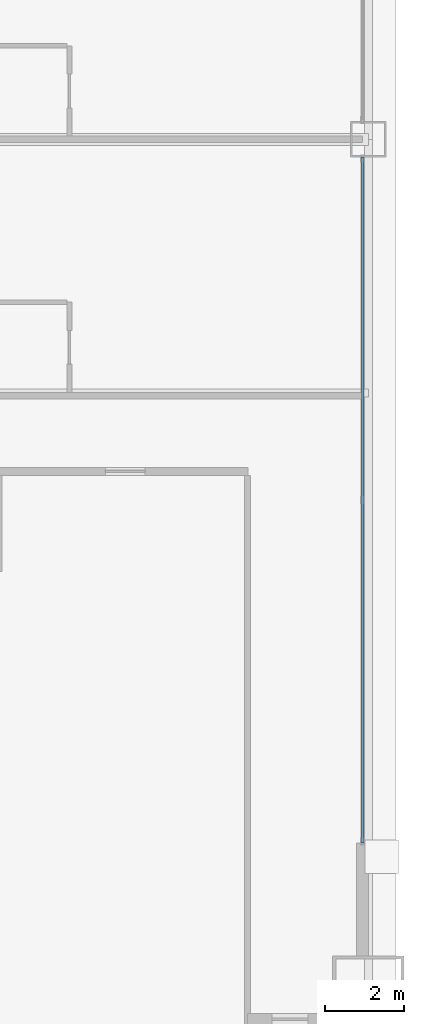
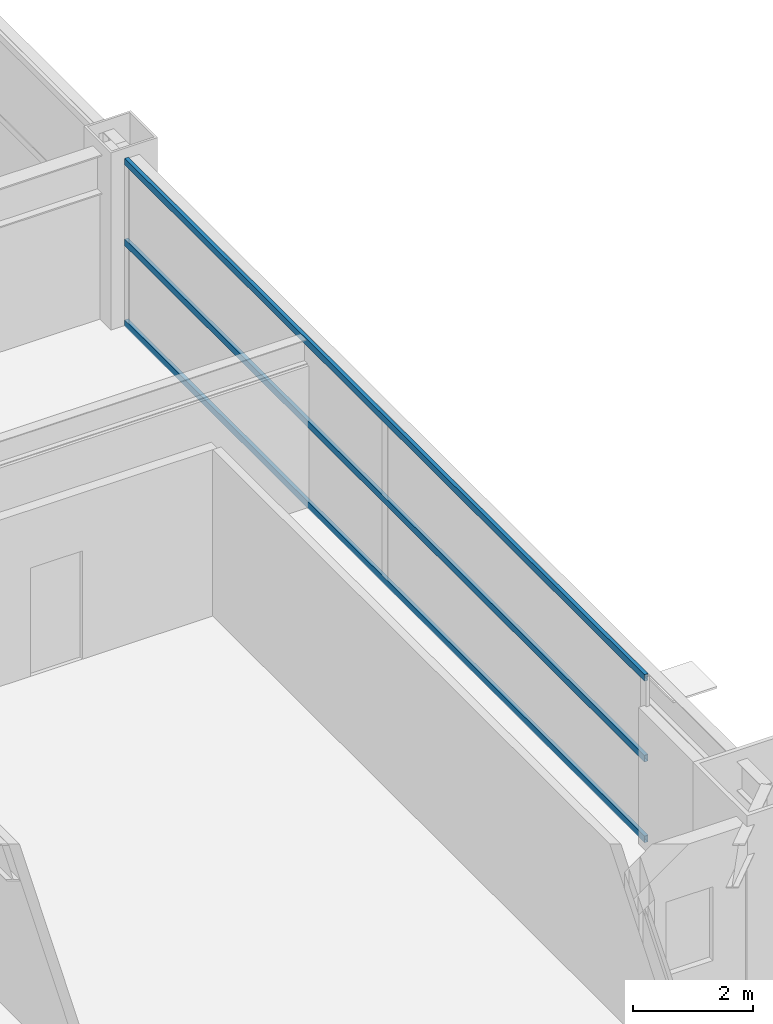
# One storey, part 20 of 43: 3 members, 1 element without a shape of its own.
"""IFC4 building model written with IfcOpenShell, lengths in metres."""

import ifcopenshell
import ifcopenshell.guid

model = None  # the IFC model being written
_history = None  # IfcOwnerHistory: only IFC2X3 demands one
_inside = {}  # id of a spatial element -> (the spatial element, [elements in it])
_under = {}  # id of a project, library or spatial element -> (it, [spatial elements below it])
_declared = {}  # id of a project -> (the project, [libraries it declares])
_typed = {}  # id of a type object -> (the type object, [elements of that type])
_made_of = {}  # id of a material, layer set ... -> (it, [elements and type objects made of it])


def new_model(schema):
    """Start an empty IFC model of exactly this schema.

    Asked for "IFC4X3", IfcOpenShell would pick the latest addendum, in which some entities
    have other attributes; the version numbers below select the first issue.
    IFC2X3 requires an IfcOwnerHistory on every rooted entity: one is made here for all.
    """
    global model, _history
    if schema == "IFC4X3":
        model = ifcopenshell.file(schema_version=(4, 3, 0, 0))
    else:
        model = ifcopenshell.file(schema=schema)
    _inside.clear()
    _under.clear()
    _declared.clear()
    _typed.clear()
    _made_of.clear()
    _history = None
    if model.schema == "IFC2X3":
        org = make("IfcOrganization", Name="unknown")
        user = make(
            "IfcPersonAndOrganization",
            ThePerson=make("IfcPerson", FamilyName="unknown"),
            TheOrganization=org,
        )
        app = make(
            "IfcApplication",
            ApplicationDeveloper=org,
            Version="unknown",
            ApplicationFullName="unknown",
            ApplicationIdentifier="unknown",
        )
        _history = make(
            "IfcOwnerHistory",
            OwningUser=user,
            OwningApplication=app,
            ChangeAction="ADDED",
            CreationDate=0,
        )
    return model


def make(cls, **values):
    """One entity of the class cls with the attributes given. An attribute that is None is left unset."""
    return model.create_entity(
        cls, **{name: value for name, value in values.items() if value is not None}
    )


def rooted(cls, **values):
    """An entity with a GlobalId (a new one), such as an element, a storey or a relation."""
    return make(cls, GlobalId=ifcopenshell.guid.new(), OwnerHistory=_history, **values)


def si_unit(unit_type, name, prefix=None):
    """IfcSIUnit, for example si_unit("LENGTHUNIT", "METRE", prefix="MILLI")."""
    return make("IfcSIUnit", UnitType=unit_type, Prefix=prefix, Name=name)


def assignment(units):
    """IfcUnitAssignment: the units of a project."""
    return None if units is None else make("IfcUnitAssignment", Units=units)


def point(xyz):
    """IfcCartesianPoint."""
    return None if xyz is None else make("IfcCartesianPoint", Coordinates=xyz)


def direction(xyz):
    """IfcDirection."""
    return None if xyz is None else make("IfcDirection", DirectionRatios=xyz)


def frame(location, z_axis=None, x_axis=None):
    """IfcAxis2Placement3D, a coordinate frame: its origin and axes. An axis left out is left unset."""
    return make(
        "IfcAxis2Placement3D",
        Location=point(location),
        Axis=direction(z_axis),
        RefDirection=direction(x_axis),
    )


def frame_2d(location, x_axis=None):
    """IfcAxis2Placement2D, a coordinate frame in the plane: its origin and x axis."""
    return make(
        "IfcAxis2Placement2D", Location=point(location), RefDirection=direction(x_axis)
    )


def origin():
    """The frame at (0, 0, 0) with its axes left unset."""
    return frame((0.0, 0.0, 0.0))


def origin_2d():
    """The frame at (0, 0) in the plane with its x axis left unset."""
    return frame_2d((0.0, 0.0))


def place(relative_to, where):
    """IfcLocalPlacement: puts the frame where relative to a parent placement (None: the world)."""
    return make(
        "IfcLocalPlacement", PlacementRelTo=relative_to, RelativePlacement=where
    )


def context(
    kind, dimensions, precision=None, world=None, true_north=None, identifier=None
):
    """IfcGeometricRepresentationContext, for example the 3D "Model" context."""
    return make(
        "IfcGeometricRepresentationContext",
        ContextIdentifier=identifier,
        ContextType=kind,
        CoordinateSpaceDimension=dimensions,
        Precision=precision,
        WorldCoordinateSystem=world,
        TrueNorth=true_north,
    )


def subcontext(parent, identifier, kind, view, scale=None):
    """IfcGeometricRepresentationSubContext, for example "Body" below "Model"."""
    return make(
        "IfcGeometricRepresentationSubContext",
        ContextIdentifier=identifier,
        ContextType=kind,
        ParentContext=parent,
        TargetScale=scale,
        TargetView=view,
    )


def project(units=None, contexts=None):
    """IfcProject with its units and contexts."""
    return rooted(
        "IfcProject",
        Name="project",
        RepresentationContexts=contexts,
        UnitsInContext=assignment(units),
    )


def spatial(cls, under=None, at=None, **own):
    """A site, building, storey or space (cls), placed at a placement, below another one or the project."""
    s = rooted(cls, ObjectPlacement=at, **own)
    if under is not None:
        _under.setdefault(under.id(), (under, []))[1].append(s)
    return s


def profile(cls, at=None, kind="AREA", **sizes):
    """A parametric profile (cls). Its sizes go by their IFC names, for example OverallWidth=200.0."""
    return make(cls, ProfileType=kind, Position=at, **sizes)


def hollow_rectangle(**sizes):
    """IfcRectangleHollowProfileDef."""
    return profile("IfcRectangleHollowProfileDef", **sizes)


def extrude(swept, where, along, depth):
    """IfcExtrudedAreaSolid: the profile swept, set in the frame where, extruded along a direction by depth."""
    return make(
        "IfcExtrudedAreaSolid",
        SweptArea=swept,
        Position=where,
        ExtrudedDirection=direction(along),
        Depth=depth,
    )


def shape(context_of_items, identifier, shape_type, items):
    """IfcShapeRepresentation: the items that make up one representation, for example the "Body"."""
    return make(
        "IfcShapeRepresentation",
        ContextOfItems=context_of_items,
        RepresentationIdentifier=identifier,
        RepresentationType=shape_type,
        Items=items,
    )


def source(mapping_origin, context_of_items, identifier, shape_type, items):
    """IfcRepresentationMap: a shape defined once, which mapped items show again and again."""
    return make(
        "IfcRepresentationMap",
        MappingOrigin=mapping_origin,
        MappedRepresentation=shape(context_of_items, identifier, shape_type, items),
    )


def transform(
    local_origin,
    x_axis=None,
    y_axis=None,
    z_axis=None,
    scale=None,
    scale2=None,
    scale3=None,
    uniform=True,
):
    """IfcCartesianTransformationOperator3D, or its non-uniform kind. x_axis, y_axis, z_axis: its Axis1, 2, 3."""
    if uniform:
        return make(
            "IfcCartesianTransformationOperator3D",
            Axis1=direction(x_axis),
            Axis2=direction(y_axis),
            LocalOrigin=point(local_origin),
            Scale=scale,
            Axis3=direction(z_axis),
        )
    return make(
        "IfcCartesianTransformationOperator3DnonUniform",
        Axis1=direction(x_axis),
        Axis2=direction(y_axis),
        LocalOrigin=point(local_origin),
        Scale=scale,
        Axis3=direction(z_axis),
        Scale2=scale2,
        Scale3=scale3,
    )


def mapped(mapping_source, mapping_target):
    """IfcMappedItem: shows the shape of a source again, moved by a transform."""
    return make(
        "IfcMappedItem", MappingSource=mapping_source, MappingTarget=mapping_target
    )


def material(Name=None, Category=None):
    """IfcMaterial."""
    return make("IfcMaterial", Name=Name, Category=Category)


def layer(
    of_material, thickness, ventilated=None, Name=None, Category=None, Priority=None
):
    """IfcMaterialLayer: one layer of a wall or slab, of a material (None: an air gap)."""
    return make(
        "IfcMaterialLayer",
        Material=of_material,
        LayerThickness=thickness,
        IsVentilated=ventilated,
        Name=Name,
        Category=Category,
        Priority=Priority,
    )


def layer_set(layers, Name=None):
    """IfcMaterialLayerSet."""
    return make("IfcMaterialLayerSet", MaterialLayers=layers, LayerSetName=Name)


def material_profile(
    of_material, cross_section, Name=None, Category=None, Priority=None
):
    """IfcMaterialProfile: a cross section and its material."""
    return make(
        "IfcMaterialProfile",
        Name=Name,
        Material=of_material,
        Profile=cross_section,
        Priority=Priority,
        Category=Category,
    )


def profile_set(profiles, Name=None, composite=None):
    """IfcMaterialProfileSet."""
    return make(
        "IfcMaterialProfileSet",
        Name=Name,
        MaterialProfiles=profiles,
        CompositeProfile=composite,
    )


def made_of(thing, what):
    """Note that an element or type object is made of a material, layer set ...; save() writes the relation."""
    if what is not None:
        _made_of.setdefault(what.id(), (what, []))[1].append(thing)
    return thing


def type_object(cls, material=None, **own):
    """A type object (cls), such as IfcWallType, which elements share."""
    return made_of(rooted(cls, **own), material)


def element(
    cls,
    number,
    at=None,
    inside=None,
    cuts=None,
    type_object=None,
    material=None,
    context=None,
    identifier="Body",
    shape_type=None,
    held_by="IfcProductDefinitionShape",
    body=None,
    shapes=None,
    **own,
):
    """One element of the class cls, such as IfcWall. Its Tag is "e" and its number.

    at: its placement. inside: the storey or other place that contains it. cuts: it is an
    opening in that element (IfcRelVoidsElement). A single representation is given by context,
    identifier, shape_type and body (its items); several are given by shapes. held_by: the class
    of the entity that holds the representations. save() writes the other relations.
    """
    e = rooted(cls, Tag="e%d" % number, ObjectPlacement=at, **own)
    if body is not None:
        shapes = [shape(context, identifier, shape_type, body)]
    if shapes is not None:
        e.Representation = make(held_by, Representations=shapes)
    if inside is not None:
        _inside.setdefault(inside.id(), (inside, []))[1].append(e)
    if cuts is not None:
        rooted(
            "IfcRelVoidsElement", RelatingBuildingElement=cuts, RelatedOpeningElement=e
        )
    if type_object is not None:
        _typed.setdefault(type_object.id(), (type_object, []))[1].append(e)
    return made_of(e, material)


def aggregate(whole, parts):
    """IfcRelAggregates: a whole, such as a stair, and the parts it consists of."""
    return rooted("IfcRelAggregates", RelatingObject=whole, RelatedObjects=parts)


def save(model, path):
    """Write the relations noted so far, then the file.

    IfcRelAggregates (storeys below a building ...), IfcRelContainedInSpatialStructure (elements
    in a storey), IfcRelDefinesByType, IfcRelAssociatesMaterial and IfcRelDeclares: one each for
    every whole, place, type object, material and project.
    """
    for whole, parts in _under.values():
        aggregate(whole, parts)
    for where, things in _inside.values():
        rooted(
            "IfcRelContainedInSpatialStructure",
            RelatedElements=things,
            RelatingStructure=where,
        )
    for kind, things in _typed.values():
        rooted("IfcRelDefinesByType", RelatedObjects=things, RelatingType=kind)
    for what, things in _made_of.values():
        rooted("IfcRelAssociatesMaterial", RelatedObjects=things, RelatingMaterial=what)
    for by, libraries in _declared.values():
        rooted("IfcRelDeclares", RelatingContext=by, RelatedDefinitions=libraries)
    model.write(path)


model = new_model("IFC4")

# Units and contexts
model_context = context("Model", 3, precision=1e-05, world=origin(), true_north=direction((0.0, 1.0)))
body_context = subcontext(model_context, "Body", "Model", "MODEL_VIEW")
ifc_project = project(units=[si_unit("LENGTHUNIT", "METRE"), si_unit("AREAUNIT", "SQUARE_METRE"), si_unit("VOLUMEUNIT", "CUBIC_METRE"), si_unit("PLANEANGLEUNIT", "RADIAN"), si_unit("MASSUNIT", "GRAM", prefix="KILO"), si_unit("THERMODYNAMICTEMPERATUREUNIT", "KELVIN"), si_unit("POWERUNIT", "WATT")], contexts=[model_context])

# Site, building, storey
site_placement = place(None, origin())
site = spatial("IfcSite", under=ifc_project, at=site_placement, CompositionType="ELEMENT")
building_placement = place(site_placement, origin())
building = spatial("IfcBuilding", under=site, at=building_placement, Name="Yuzanri Waterfront Tower", CompositionType="ELEMENT")
storey_placement = place(building_placement, frame((0.0, 0.0, 64.0)))
storey = spatial("IfcBuildingStorey", under=building, at=storey_placement, Name="L16", CompositionType="ELEMENT", Elevation=64.0)

# Curtain wall, members
ifc_material_1 = material(Name="Anodized Architectural Bronze", Category="metal")
ifc_layer = layer(ifc_material_1, 0.159912109375)
ifc_layer_set = layer_set([ifc_layer], Name="Anodized Architectural Bronze")
curtain_wall_type = type_object("IfcCurtainWallType", Name="Anodized Bronze Hotel Lower-Tier Recessed Unitized Curtain Wall 8100", PredefinedType="NOTDEFINED", material=ifc_layer_set)
curtain_wall_placement = place(storey_placement, origin())
curtain_wall = element("IfcCurtainWall", 1, at=curtain_wall_placement, inside=storey, type_object=curtain_wall_type, Name="L16 Curtain Wall CW-L16-EL", PredefinedType="NOTDEFINED")
ifc_material_2 = material(Name="Anodized Architectural Bronze", Category="metal")
ifc_material_profile = material_profile(ifc_material_2, hollow_rectangle(XDim=0.070068359375, YDim=0.135009765625, WallThickness=0.00341796875, at=origin_2d()), Name="CWT 70x135")
ifc_profile_set = profile_set([ifc_material_profile], Name="Anodized Architectural Bronze")
member_type = type_object("IfcMemberType", Name="Anodized Bronze Standard Curtain-Wall Transom 70x135", PredefinedType="USERDEFINED", material=ifc_profile_set)
shared_shape = source(origin(), body_context, "Body", "SweptSolid", [
    extrude(hollow_rectangle(XDim=0.070068359375, YDim=0.135009765625, WallThickness=0.00341796875, at=origin_2d()), origin(), (0.0, 0.0, 1.0), 17.300048828125),
])
member_1_placement = place(storey_placement, frame((61.949951171875, 8.050048828125, 0.050048828125), z_axis=(0.0, 1.0, 0.0), x_axis=(-1.0, 0.0, 0.0)))
member_1 = element("IfcMember", 2, at=member_1_placement, type_object=member_type, Name="CW-L16-EL Transom 1", ObjectType="TRANSOM", PredefinedType="USERDEFINED", context=body_context, shape_type="MappedRepresentation", body=[
    mapped(shared_shape, transform((0.0, 0.0, 0.0), scale=1.0)),
])
member_2_placement = place(storey_placement, frame((61.949951171875, 8.050048828125, 1.68994140625), z_axis=(0.0, 1.0, 0.0), x_axis=(-1.0, 0.0, 0.0)))
member_2 = element("IfcMember", 3, at=member_2_placement, type_object=member_type, Name="CW-L16-EL Transom 2", ObjectType="TRANSOM", PredefinedType="USERDEFINED", context=body_context, shape_type="MappedRepresentation", body=[
    mapped(shared_shape, transform((0.0, 0.0, 0.0), scale=1.0)),
])
member_3_placement = place(storey_placement, frame((61.949951171875, 8.050048828125, 3.330078125), z_axis=(0.0, 1.0, 0.0), x_axis=(-1.0, 0.0, 0.0)))
member_3 = element("IfcMember", 4, at=member_3_placement, type_object=member_type, Name="CW-L16-EL Transom 3", ObjectType="TRANSOM", PredefinedType="USERDEFINED", context=body_context, shape_type="MappedRepresentation", body=[
    mapped(shared_shape, transform((0.0, 0.0, 0.0), scale=1.0)),
])
aggregate(curtain_wall, [member_1, member_2, member_3])

save(model, "model.ifc")
